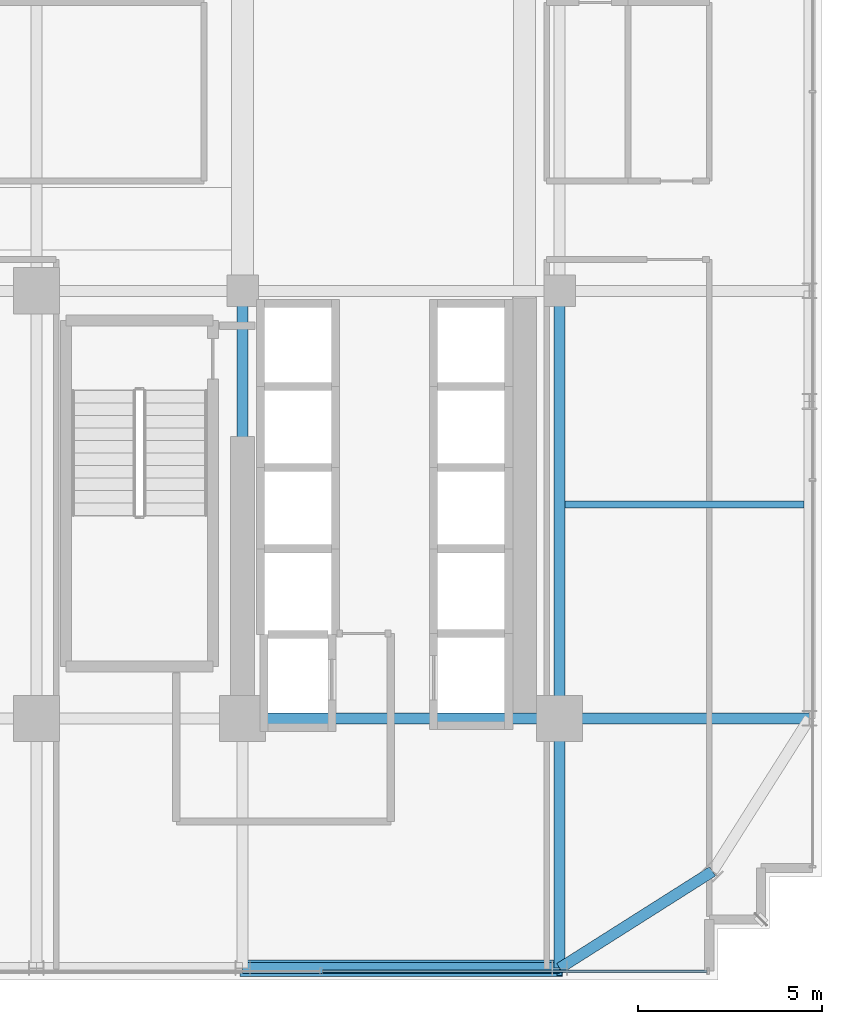
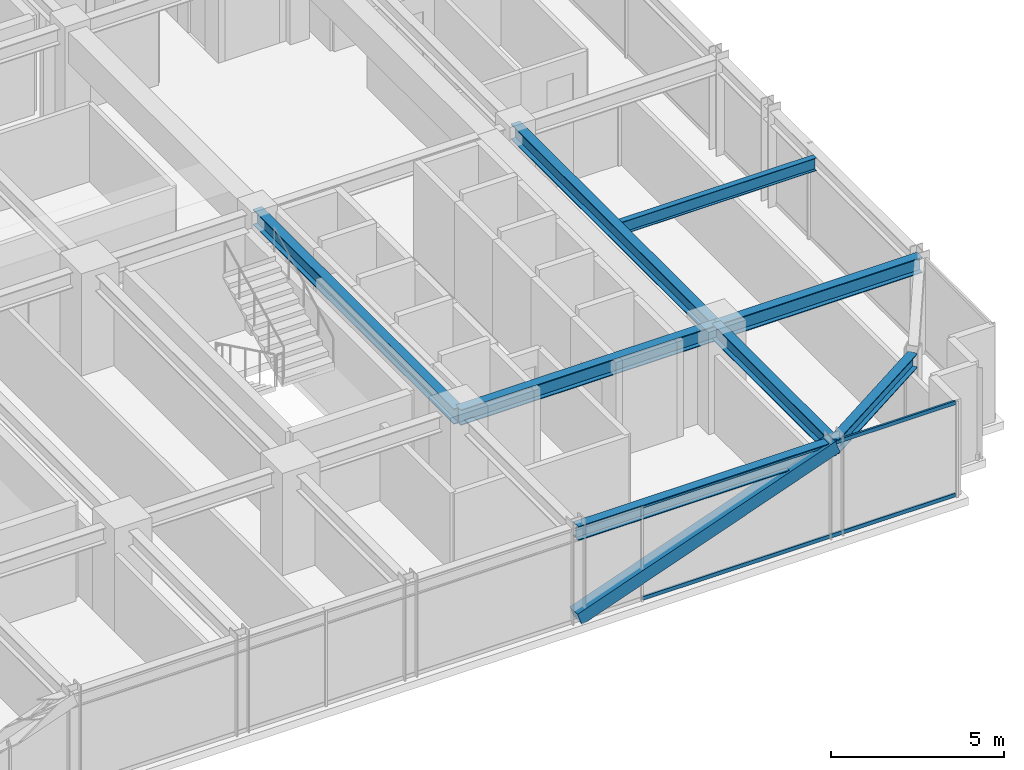
# One storey, part 11 of 40: 8 beams, 3 members, 1 element without a shape of its own.
"""IFC4 building model written with IfcOpenShell, lengths in metres."""

from ifc_helpers import new_model, si_unit, direction, frame, origin, origin_2d, place, context, subcontext, project, spatial, hollow_rectangle, i_section, extrude, source, transform, mapped, material, material_profile, profile_set, type_object, element, aggregate, save


model = new_model("IFC4")

# Units and contexts
model_context = context("Model", 3, precision=1e-05, world=origin(), true_north=direction((0.0, 1.0)))
body_context = subcontext(model_context, "Body", "Model", "MODEL_VIEW")
ifc_project = project(units=[si_unit("LENGTHUNIT", "METRE"), si_unit("AREAUNIT", "SQUARE_METRE"), si_unit("VOLUMEUNIT", "CUBIC_METRE"), si_unit("PLANEANGLEUNIT", "RADIAN"), si_unit("MASSUNIT", "GRAM", prefix="KILO")], contexts=[model_context])

# Site, building, storey
site_placement = place(None, origin())
site = spatial("IfcSite", under=ifc_project, at=site_placement, CompositionType="ELEMENT")
building_placement = place(site_placement, origin())
building = spatial("IfcBuilding", under=site, at=building_placement, Name="Nahalor Promenade Grand Hotel", CompositionType="ELEMENT")
storey_placement = place(building_placement, frame((0.0, 0.0, 91.949951171875)))
storey = spatial("IfcBuildingStorey", under=building, at=storey_placement, Name="L22", CompositionType="ELEMENT", Elevation=91.949951171875)

# Beams
ifc_material_1 = material(Name="Steel S355JR", Category="steel")
ifc_material_profile_1 = material_profile(ifc_material_1, i_section(OverallWidth=0.3, OverallDepth=0.5, WebThickness=0.0145, FlangeThickness=0.028, at=origin_2d()), Name="HEB 500")
ifc_profile_set_1 = profile_set([ifc_material_profile_1], Name="Steel S355JR")
beam_type_1 = type_object("IfcBeamType", Name="Beam-Spandrel-HEB500", PredefinedType="SPANDREL", material=ifc_profile_set_1)
shared_shape_1 = source(origin(), body_context, "Body", "SweptSolid", [
    extrude(i_section(OverallWidth=0.3, OverallDepth=0.5, WebThickness=0.0145, FlangeThickness=0.028, at=origin_2d()), origin(), (0.0, 0.0, 1.0), 8.60009765625),
])
beam_1_placement = place(storey_placement, frame((8.39990234375, -23.780029296875, 3.130126953125), z_axis=(1.0, 0.0, 0.0), x_axis=(0.0, 1.0, 0.0)))
element("IfcBeam", 1, at=beam_1_placement, inside=storey, type_object=beam_type_1, Name="BM-L22-SP-S-4", PredefinedType="SPANDREL", context=body_context, shape_type="MappedRepresentation", body=[
    mapped(shared_shape_1, transform((0.0, 0.0, 0.0), scale=1.0)),
])
shared_shape_2 = source(origin(), body_context, "Body", "SweptSolid", [
    extrude(i_section(OverallWidth=0.3, OverallDepth=0.5, WebThickness=0.0145, FlangeThickness=0.028, at=origin_2d()), origin(), (0.0, 0.0, 1.0), 4.9130859375),
])
beam_2_placement = place(storey_placement, frame((17.0, -23.780029296875, 3.130126953125), z_axis=(0.844648325505, 0.535321591403, 0.0), x_axis=(-0.535321591403, 0.844648325505, 0.0)))
element("IfcBeam", 2, at=beam_2_placement, inside=storey, type_object=beam_type_1, Name="BM-L22-SPC-SE-1", PredefinedType="SPANDREL", context=body_context, shape_type="MappedRepresentation", body=[
    mapped(shared_shape_2, transform((0.0, 0.0, 0.0), scale=1.0)),
])
ifc_material_profile_2 = material_profile(ifc_material_1, i_section(OverallWidth=0.3, OverallDepth=0.55, WebThickness=0.015, FlangeThickness=0.029, at=origin_2d()), Name="HEB 550")
ifc_profile_set_2 = profile_set([ifc_material_profile_2], Name="Steel S355JR")
beam_type_2 = type_object("IfcBeamType", Name="Beam-Girder-HEB550", PredefinedType="BEAM", material=ifc_profile_set_2)
shared_shape_3 = source(origin(), body_context, "Body", "SweptSolid", [
    extrude(i_section(OverallWidth=0.3, OverallDepth=0.55, WebThickness=0.015, FlangeThickness=0.029, at=origin_2d()), origin(), (0.0, 0.0, 1.0), 6.780029296875),
])
for number, where, z_axis, x_axis, name in (
    (3, (17.0, -17.0, 3.10498046875), (1.0, 0.0, 0.0), (0.0, 1.0, 0.0), "BM-L22-GX-0-6"),
    (4, (17.0, -23.780029296875, 3.10498046875), (0.0, 1.0, 0.0), (-1.0, 0.0, 0.0), "BM-L22-GY-5-0"),
):
    element("IfcBeam", number, at=place(storey_placement, frame(where, z_axis=z_axis, x_axis=x_axis)), inside=storey, type_object=beam_type_2, Name=name, PredefinedType="BEAM", context=body_context, shape_type="MappedRepresentation", body=[
        mapped(shared_shape_3, transform((0.0, 0.0, 0.0), scale=1.0)),
    ])
shared_shape_4 = source(origin(), body_context, "Body", "SweptSolid", [
    extrude(i_section(OverallWidth=0.3, OverallDepth=0.55, WebThickness=0.015, FlangeThickness=0.029, at=origin_2d()), origin(), (0.0, 0.0, 1.0), 8.60009765625),
])
beam_3_placement = place(storey_placement, frame((8.39990234375, -17.0, 3.10498046875), z_axis=(1.0, 0.0, 0.0), x_axis=(0.0, 1.0, 0.0)))
element("IfcBeam", 5, at=beam_3_placement, inside=storey, type_object=beam_type_2, Name="BM-L22-GX-0-5", PredefinedType="BEAM", context=body_context, shape_type="MappedRepresentation", body=[
    mapped(shared_shape_4, transform((0.0, 0.0, 0.0), scale=1.0)),
])
shared_shape_5 = source(origin(), body_context, "Body", "SweptSolid", [
    extrude(i_section(OverallWidth=0.3, OverallDepth=0.55, WebThickness=0.015, FlangeThickness=0.029, at=origin_2d()), origin(), (0.0, 0.0, 1.0), 11.60009765625),
])
for number, where, z_axis, x_axis, name in (
    (6, (8.39990234375, -17.0, 3.10498046875), (0.0, 1.0, 0.0), (-1.0, 0.0, 0.0), "BM-L22-GY-4-1"),
    (7, (17.0, -17.0, 3.10498046875), (0.0, 1.0, 0.0), (-1.0, 0.0, 0.0), "BM-L22-GY-5-1"),
):
    element("IfcBeam", number, at=place(storey_placement, frame(where, z_axis=z_axis, x_axis=x_axis)), inside=storey, type_object=beam_type_2, Name=name, PredefinedType="BEAM", context=body_context, shape_type="MappedRepresentation", body=[
        mapped(shared_shape_5, transform((0.0, 0.0, 0.0), scale=1.0)),
    ])
ifc_material_profile_3 = material_profile(ifc_material_1, i_section(OverallWidth=0.19, OverallDepth=0.45, WebThickness=0.0094, FlangeThickness=0.0146, at=origin_2d()), Name="IPE 450")
ifc_profile_set_3 = profile_set([ifc_material_profile_3], Name="Steel S355JR")
beam_type_3 = type_object("IfcBeamType", Name="Beam-Joist-IPE450", PredefinedType="JOIST", material=ifc_profile_set_3)
shared_shape_6 = source(origin(), body_context, "Body", "SweptSolid", [
    extrude(i_section(OverallWidth=0.19, OverallDepth=0.45, WebThickness=0.0094, FlangeThickness=0.0146, at=origin_2d()), origin(), (0.0, 0.0, 1.0), 6.47998046875),
])
beam_4_placement = place(storey_placement, frame((17.14990234375, -11.199951171875, 3.155029296875), z_axis=(1.0, 0.0, 0.0), x_axis=(0.0, 1.0, 0.0)))
element("IfcBeam", 8, at=beam_4_placement, inside=storey, type_object=beam_type_3, Name="BM-L22-JSE-0-2", PredefinedType="JOIST", context=body_context, shape_type="MappedRepresentation", body=[
    mapped(shared_shape_6, transform((0.0, 0.0, 0.0), scale=1.0)),
])

# Member
ifc_material_2 = material(Name="Steel S355J2", Category="steel")
ifc_material_profile_4 = material_profile(ifc_material_2, hollow_rectangle(XDim=0.45, YDim=0.45, WallThickness=0.025, at=origin_2d()), Name="SHS 450x450x25")
ifc_profile_set_4 = profile_set([ifc_material_profile_4], Name="Steel S355J2")
member_type_1 = type_object("IfcMemberType", Name="Mem-ExoBrace-SHS450", PredefinedType="BRACE", material=ifc_profile_set_4)
shared_shape_7 = source(origin(), body_context, "Body", "SweptSolid", [
    extrude(hollow_rectangle(XDim=0.45, YDim=0.45, WallThickness=0.025, at=origin_2d()), origin(), (0.0, 0.0, 1.0), 9.135009765625),
])
member_1_placement = place(storey_placement, frame((8.39990234375, -23.780029296875, 0.150146484375), z_axis=(0.941451323466, 0.0, 0.337148936738), x_axis=(0.0, 1.0, 0.0)))
element("IfcMember", 9, at=member_1_placement, inside=storey, type_object=member_type_1, Name="EXO-L22-S-1", PredefinedType="BRACE", context=body_context, shape_type="MappedRepresentation", body=[
    mapped(shared_shape_7, transform((0.0, 0.0, 0.0), scale=1.0)),
])

# Curtain wall, members
ifc_material_3 = material(Name="Anodised Bronze Aluminium EN AW-6063 T6", Category="aluminium")
curtain_wall_type = type_object("IfcCurtainWallType", Name="CW2 Typical Hotel Flush Bronze Unitised Curtain Wall", PredefinedType="USERDEFINED", material=ifc_material_3)
curtain_wall_placement = place(storey_placement, origin())
curtain_wall = element("IfcCurtainWall", 10, at=curtain_wall_placement, inside=storey, type_object=curtain_wall_type, Name="L22 Curtain Wall CW-L22-S-1", ObjectType="UNITISED_CURTAIN_WALL", PredefinedType="USERDEFINED")
ifc_material_profile_5 = material_profile(ifc_material_3, hollow_rectangle(XDim=0.065, YDim=0.13, WallThickness=0.004, at=origin_2d()), Name="CWT 65x130x4")
ifc_profile_set_5 = profile_set([ifc_material_profile_5], Name="Anodised Bronze Aluminium EN AW-6063 T6")
member_type_2 = type_object("IfcMemberType", Name="CWT2 Typical Bronze Transom 65x130", PredefinedType="USERDEFINED", material=ifc_profile_set_5)
shared_shape_8 = source(origin(), body_context, "Body", "SweptSolid", [
    extrude(hollow_rectangle(XDim=0.065, YDim=0.13, WallThickness=0.004, at=origin_2d()), origin(), (0.0, 0.0, 1.0), 10.4326171875),
])
member_2_placement = place(storey_placement, frame((10.5625, -23.860107421875, 0.06494140625), z_axis=(1.0, 0.0, 0.0), x_axis=(0.0, 1.0, 0.0)))
member_2 = element("IfcMember", 11, at=member_2_placement, type_object=member_type_2, Name="CW-L22-S-1 Transom 3-0", ObjectType="TRANSOM", PredefinedType="USERDEFINED", context=body_context, shape_type="MappedRepresentation", body=[
    mapped(shared_shape_8, transform((0.0, 0.0, 0.0), scale=1.0)),
])
member_3_placement = place(storey_placement, frame((10.5625, -23.860107421875, 3.31494140625), z_axis=(1.0, 0.0, 0.0), x_axis=(0.0, 1.0, 0.0)))
member_3 = element("IfcMember", 12, at=member_3_placement, type_object=member_type_2, Name="CW-L22-S-1 Transom 3-1", ObjectType="TRANSOM", PredefinedType="USERDEFINED", context=body_context, shape_type="MappedRepresentation", body=[
    mapped(shared_shape_8, transform((0.0, 0.0, 0.0), scale=1.0)),
])
aggregate(curtain_wall, [member_2, member_3])

save(model, "model.ifc")
